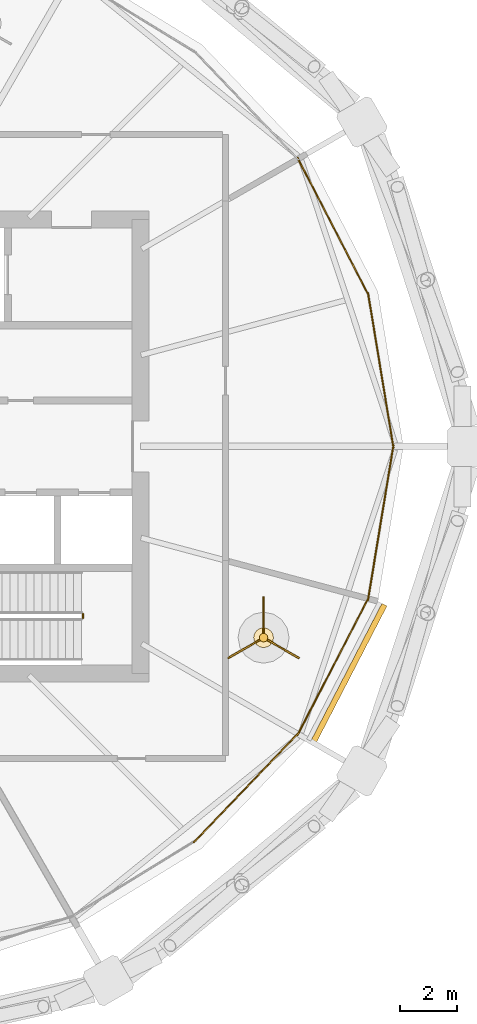
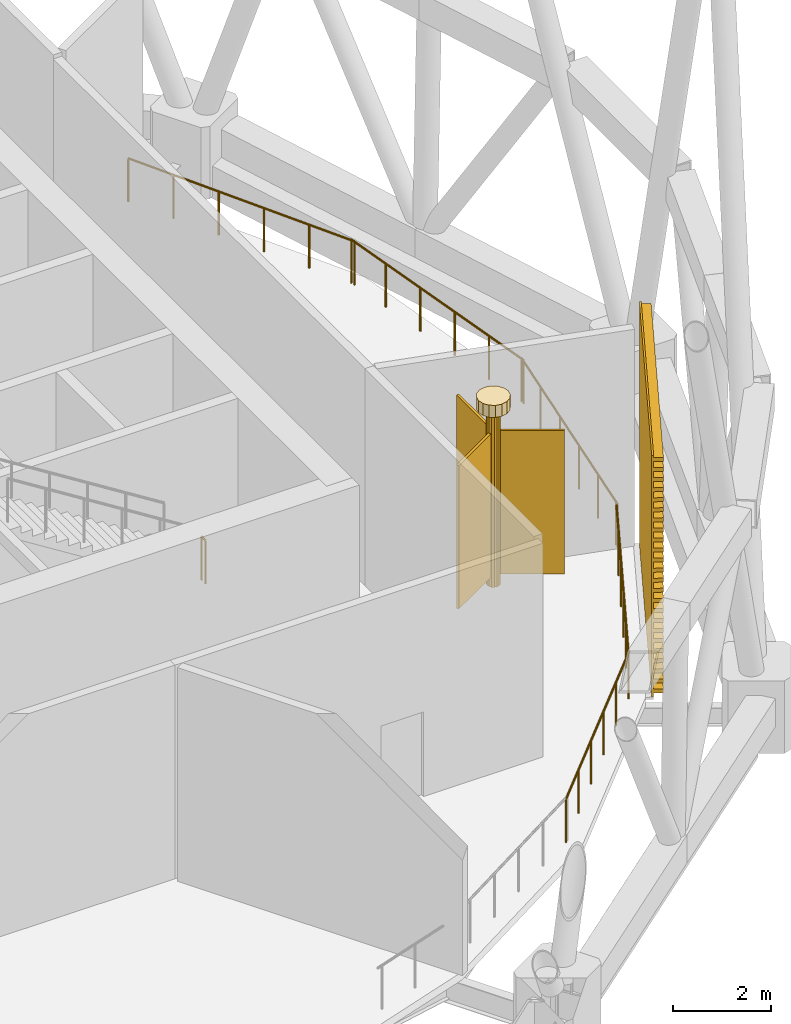
# One storey, part 17 of 22: 6 railings, 5 coverings, 1 shading device.
"""IFC4 building model written with IfcOpenShell, lengths in metres."""

import ifcopenshell
import ifcopenshell.guid

model = None  # the IFC model being written
_history = None  # IfcOwnerHistory: only IFC2X3 demands one
_inside = {}  # id of a spatial element -> (the spatial element, [elements in it])
_under = {}  # id of a project, library or spatial element -> (it, [spatial elements below it])
_declared = {}  # id of a project -> (the project, [libraries it declares])
_typed = {}  # id of a type object -> (the type object, [elements of that type])
_made_of = {}  # id of a material, layer set ... -> (it, [elements and type objects made of it])


def new_model(schema):
    """Start an empty IFC model of exactly this schema.

    Asked for "IFC4X3", IfcOpenShell would pick the latest addendum, in which some entities
    have other attributes; the version numbers below select the first issue.
    IFC2X3 requires an IfcOwnerHistory on every rooted entity: one is made here for all.
    """
    global model, _history
    if schema == "IFC4X3":
        model = ifcopenshell.file(schema_version=(4, 3, 0, 0))
    else:
        model = ifcopenshell.file(schema=schema)
    _inside.clear()
    _under.clear()
    _declared.clear()
    _typed.clear()
    _made_of.clear()
    _history = None
    if model.schema == "IFC2X3":
        org = make("IfcOrganization", Name="unknown")
        user = make(
            "IfcPersonAndOrganization",
            ThePerson=make("IfcPerson", FamilyName="unknown"),
            TheOrganization=org,
        )
        app = make(
            "IfcApplication",
            ApplicationDeveloper=org,
            Version="unknown",
            ApplicationFullName="unknown",
            ApplicationIdentifier="unknown",
        )
        _history = make(
            "IfcOwnerHistory",
            OwningUser=user,
            OwningApplication=app,
            ChangeAction="ADDED",
            CreationDate=0,
        )
    return model


def make(cls, **values):
    """One entity of the class cls with the attributes given. An attribute that is None is left unset."""
    return model.create_entity(
        cls, **{name: value for name, value in values.items() if value is not None}
    )


def rooted(cls, **values):
    """An entity with a GlobalId (a new one), such as an element, a storey or a relation."""
    return make(cls, GlobalId=ifcopenshell.guid.new(), OwnerHistory=_history, **values)


def si_unit(unit_type, name, prefix=None):
    """IfcSIUnit, for example si_unit("LENGTHUNIT", "METRE", prefix="MILLI")."""
    return make("IfcSIUnit", UnitType=unit_type, Prefix=prefix, Name=name)


def assignment(units):
    """IfcUnitAssignment: the units of a project."""
    return None if units is None else make("IfcUnitAssignment", Units=units)


def point(xyz):
    """IfcCartesianPoint."""
    return None if xyz is None else make("IfcCartesianPoint", Coordinates=xyz)


def direction(xyz):
    """IfcDirection."""
    return None if xyz is None else make("IfcDirection", DirectionRatios=xyz)


def frame(location, z_axis=None, x_axis=None):
    """IfcAxis2Placement3D, a coordinate frame: its origin and axes. An axis left out is left unset."""
    return make(
        "IfcAxis2Placement3D",
        Location=point(location),
        Axis=direction(z_axis),
        RefDirection=direction(x_axis),
    )


def frame_2d(location, x_axis=None):
    """IfcAxis2Placement2D, a coordinate frame in the plane: its origin and x axis."""
    return make(
        "IfcAxis2Placement2D", Location=point(location), RefDirection=direction(x_axis)
    )


def origin():
    """The frame at (0, 0, 0) with its axes left unset."""
    return frame((0.0, 0.0, 0.0))


def origin_2d():
    """The frame at (0, 0) in the plane with its x axis left unset."""
    return frame_2d((0.0, 0.0))


def place(relative_to, where):
    """IfcLocalPlacement: puts the frame where relative to a parent placement (None: the world)."""
    return make(
        "IfcLocalPlacement", PlacementRelTo=relative_to, RelativePlacement=where
    )


def context(
    kind, dimensions, precision=None, world=None, true_north=None, identifier=None
):
    """IfcGeometricRepresentationContext, for example the 3D "Model" context."""
    return make(
        "IfcGeometricRepresentationContext",
        ContextIdentifier=identifier,
        ContextType=kind,
        CoordinateSpaceDimension=dimensions,
        Precision=precision,
        WorldCoordinateSystem=world,
        TrueNorth=true_north,
    )


def subcontext(parent, identifier, kind, view, scale=None):
    """IfcGeometricRepresentationSubContext, for example "Body" below "Model"."""
    return make(
        "IfcGeometricRepresentationSubContext",
        ContextIdentifier=identifier,
        ContextType=kind,
        ParentContext=parent,
        TargetScale=scale,
        TargetView=view,
    )


def project(units=None, contexts=None):
    """IfcProject with its units and contexts."""
    return rooted(
        "IfcProject",
        Name="project",
        RepresentationContexts=contexts,
        UnitsInContext=assignment(units),
    )


def spatial(cls, under=None, at=None, **own):
    """A site, building, storey or space (cls), placed at a placement, below another one or the project."""
    s = rooted(cls, ObjectPlacement=at, **own)
    if under is not None:
        _under.setdefault(under.id(), (under, []))[1].append(s)
    return s


def polyline(points):
    """IfcPolyline through the points."""
    return make("IfcPolyline", Points=[point(p) for p in points])


def profile(cls, at=None, kind="AREA", **sizes):
    """A parametric profile (cls). Its sizes go by their IFC names, for example OverallWidth=200.0."""
    return make(cls, ProfileType=kind, Position=at, **sizes)


def circle(**sizes):
    """IfcCircleProfileDef."""
    return profile("IfcCircleProfileDef", **sizes)


def outline(outer, holes=None, kind="AREA"):
    """IfcArbitraryClosedProfileDef: a profile drawn as a closed curve; with holes, ...WithVoids."""
    if holes is None:
        return make("IfcArbitraryClosedProfileDef", ProfileType=kind, OuterCurve=outer)
    return make(
        "IfcArbitraryProfileDefWithVoids",
        ProfileType=kind,
        OuterCurve=outer,
        InnerCurves=holes,
    )


def extrude(swept, where, along, depth):
    """IfcExtrudedAreaSolid: the profile swept, set in the frame where, extruded along a direction by depth."""
    return make(
        "IfcExtrudedAreaSolid",
        SweptArea=swept,
        Position=where,
        ExtrudedDirection=direction(along),
        Depth=depth,
    )


def shape(context_of_items, identifier, shape_type, items):
    """IfcShapeRepresentation: the items that make up one representation, for example the "Body"."""
    return make(
        "IfcShapeRepresentation",
        ContextOfItems=context_of_items,
        RepresentationIdentifier=identifier,
        RepresentationType=shape_type,
        Items=items,
    )


def material(Name=None, Category=None):
    """IfcMaterial."""
    return make("IfcMaterial", Name=Name, Category=Category)


def material_profile(
    of_material, cross_section, Name=None, Category=None, Priority=None
):
    """IfcMaterialProfile: a cross section and its material."""
    return make(
        "IfcMaterialProfile",
        Name=Name,
        Material=of_material,
        Profile=cross_section,
        Priority=Priority,
        Category=Category,
    )


def profile_set(profiles, Name=None, composite=None):
    """IfcMaterialProfileSet."""
    return make(
        "IfcMaterialProfileSet",
        Name=Name,
        MaterialProfiles=profiles,
        CompositeProfile=composite,
    )


def made_of(thing, what):
    """Note that an element or type object is made of a material, layer set ...; save() writes the relation."""
    if what is not None:
        _made_of.setdefault(what.id(), (what, []))[1].append(thing)
    return thing


def type_object(cls, material=None, **own):
    """A type object (cls), such as IfcWallType, which elements share."""
    return made_of(rooted(cls, **own), material)


def element(
    cls,
    number,
    at=None,
    inside=None,
    cuts=None,
    type_object=None,
    material=None,
    context=None,
    identifier="Body",
    shape_type=None,
    held_by="IfcProductDefinitionShape",
    body=None,
    shapes=None,
    **own,
):
    """One element of the class cls, such as IfcWall. Its Tag is "e" and its number.

    at: its placement. inside: the storey or other place that contains it. cuts: it is an
    opening in that element (IfcRelVoidsElement). A single representation is given by context,
    identifier, shape_type and body (its items); several are given by shapes. held_by: the class
    of the entity that holds the representations. save() writes the other relations.
    """
    e = rooted(cls, Tag="e%d" % number, ObjectPlacement=at, **own)
    if body is not None:
        shapes = [shape(context, identifier, shape_type, body)]
    if shapes is not None:
        e.Representation = make(held_by, Representations=shapes)
    if inside is not None:
        _inside.setdefault(inside.id(), (inside, []))[1].append(e)
    if cuts is not None:
        rooted(
            "IfcRelVoidsElement", RelatingBuildingElement=cuts, RelatedOpeningElement=e
        )
    if type_object is not None:
        _typed.setdefault(type_object.id(), (type_object, []))[1].append(e)
    return made_of(e, material)


def aggregate(whole, parts):
    """IfcRelAggregates: a whole, such as a stair, and the parts it consists of."""
    return rooted("IfcRelAggregates", RelatingObject=whole, RelatedObjects=parts)


def save(model, path):
    """Write the relations noted so far, then the file.

    IfcRelAggregates (storeys below a building ...), IfcRelContainedInSpatialStructure (elements
    in a storey), IfcRelDefinesByType, IfcRelAssociatesMaterial and IfcRelDeclares: one each for
    every whole, place, type object, material and project.
    """
    for whole, parts in _under.values():
        aggregate(whole, parts)
    for where, things in _inside.values():
        rooted(
            "IfcRelContainedInSpatialStructure",
            RelatedElements=things,
            RelatingStructure=where,
        )
    for kind, things in _typed.values():
        rooted("IfcRelDefinesByType", RelatedObjects=things, RelatingType=kind)
    for what, things in _made_of.values():
        rooted("IfcRelAssociatesMaterial", RelatedObjects=things, RelatingMaterial=what)
    for by, libraries in _declared.values():
        rooted("IfcRelDeclares", RelatingContext=by, RelatedDefinitions=libraries)
    model.write(path)


model = new_model("IFC4")

# Units and contexts
model_context = context("Model", 3, precision=1e-05, world=origin(), true_north=direction((0.0, 1.0)))
body_context = subcontext(model_context, "Body", "Model", "MODEL_VIEW")
ifc_project = project(units=[si_unit("LENGTHUNIT", "METRE"), si_unit("AREAUNIT", "SQUARE_METRE"), si_unit("VOLUMEUNIT", "CUBIC_METRE"), si_unit("PLANEANGLEUNIT", "RADIAN"), si_unit("MASSUNIT", "GRAM", prefix="KILO")], contexts=[model_context])

# Site, building, storey
site_placement = place(None, origin())
site = spatial("IfcSite", under=ifc_project, at=site_placement, CompositionType="ELEMENT")
building_placement = place(site_placement, origin())
building = spatial("IfcBuilding", under=site, at=building_placement, Name="Rimbun Link Towers", CompositionType="ELEMENT")
storey_placement = place(building_placement, frame((0.0, 0.0, 204.5)))
storey = spatial("IfcBuildingStorey", under=building, at=storey_placement, Name="L50", CompositionType="ELEMENT", Elevation=204.5)

# Railings
ifc_material_1 = material(Name="Stainless steel grade 316", Category="steel")
railing_type_1 = type_object("IfcRailingType", Name="GUARD stainless rail and posts", PredefinedType="GUARDRAIL", material=ifc_material_1)
railing_1_placement = place(storey_placement, frame((-11.722900390625, 5.413818359375, 0.0)))
element("IfcRailing", 1, at=railing_1_placement, inside=storey, type_object=railing_type_1, Name="GUARD open storey edge", PredefinedType="GUARDRAIL", context=body_context, shape_type="SweptSolid", body=[
    extrude(circle(Radius=0.02392578125, at=origin_2d()), frame((0.0, 0.0, 1.076171875), z_axis=(0.162258984538, -0.986748205945, 0.0), x_axis=(0.986748205945, 0.162258984538, 0.0)), (0.0, 0.0, 1.0), 5.532470703125),
    extrude(circle(Radius=0.02099609375, at=origin_2d()), origin(), (0.0, 0.0, 1.0), 1.052001953125),
    extrude(circle(Radius=0.02099609375, at=origin_2d()), frame((0.179443359375, -1.091796875, 0.0)), (0.0, 0.0, 1.0), 1.052001953125),
    extrude(circle(Radius=0.02099609375, at=origin_2d()), frame((0.359130859375, -2.18359375, 0.0)), (0.0, 0.0, 1.0), 1.052001953125),
    extrude(circle(Radius=0.02099609375, at=origin_2d()), frame((0.53857421875, -3.275634765625, 0.0)), (0.0, 0.0, 1.0), 1.052001953125),
    extrude(circle(Radius=0.02099609375, at=origin_2d()), frame((0.71826171875, -4.367431640625, 0.0)), (0.0, 0.0, 1.0), 1.052001953125),
    extrude(circle(Radius=0.02099609375, at=origin_2d()), frame((0.897705078125, -5.459228515625, 0.0)), (0.0, 0.0, 1.0), 1.052001953125),
])
railing_2_placement = place(storey_placement, frame((-14.2109375, 10.179443359375, 0.0)))
element("IfcRailing", 2, at=railing_2_placement, inside=storey, type_object=railing_type_1, Name="GUARD open storey edge", PredefinedType="GUARDRAIL", context=body_context, shape_type="SweptSolid", body=[
    extrude(circle(Radius=0.02392578125, at=origin_2d()), frame((0.0, 0.0, 1.076171875), z_axis=(0.459554167849, -0.888149743463, 0.0), x_axis=(0.888149743463, 0.459554167849, 0.0)), (0.0, 0.0, 1.0), 5.465087890625),
    extrude(circle(Radius=0.02099609375, at=origin_2d()), origin(), (0.0, 0.0, 1.0), 1.052001953125),
    extrude(circle(Radius=0.02099609375, at=origin_2d()), frame((0.502197265625, -0.970703125, 0.0)), (0.0, 0.0, 1.0), 1.052001953125),
    extrude(circle(Radius=0.02099609375, at=origin_2d()), frame((1.004638671875, -1.94140625, 0.0)), (0.0, 0.0, 1.0), 1.052001953125),
    extrude(circle(Radius=0.02099609375, at=origin_2d()), frame((1.5068359375, -2.912353515625, 0.0)), (0.0, 0.0, 1.0), 1.052001953125),
    extrude(circle(Radius=0.02099609375, at=origin_2d()), frame((2.00927734375, -3.883056640625, 0.0)), (0.0, 0.0, 1.0), 1.052001953125),
    extrude(circle(Radius=0.02099609375, at=origin_2d()), frame((2.511474609375, -4.853759765625, 0.0)), (0.0, 0.0, 1.0), 1.052001953125),
])
railing_3_placement = place(storey_placement, frame((-14.165283203125, -10.1005859375, 0.0)))
element("IfcRailing", 3, at=railing_3_placement, inside=storey, type_object=railing_type_1, Name="GUARD open storey edge", PredefinedType="GUARDRAIL", context=body_context, shape_type="SweptSolid", body=[
    extrude(circle(Radius=0.02392578125, at=origin_2d()), frame((0.0, 0.0, 1.076171875), z_axis=(-0.692067218589, -0.721833058923, 0.0), x_axis=(0.721833058923, -0.692067218589, 0.0)), (0.0, 0.0, 1.0), 5.339599609375),
    extrude(circle(Radius=0.02099609375, at=origin_2d()), origin(), (0.0, 0.0, 1.0), 1.052001953125),
    extrude(circle(Radius=0.02099609375, at=origin_2d()), frame((-0.739013671875, -0.770751953125, 0.0)), (0.0, 0.0, 1.0), 1.052001953125),
    extrude(circle(Radius=0.02099609375, at=origin_2d()), frame((-1.47802734375, -1.541748046875, 0.0)), (0.0, 0.0, 1.0), 1.052001953125),
    extrude(circle(Radius=0.02099609375, at=origin_2d()), frame((-2.21728515625, -2.3125, 0.0)), (0.0, 0.0, 1.0), 1.052001953125),
    extrude(circle(Radius=0.02099609375, at=origin_2d()), frame((-2.956298828125, -3.08349609375, 0.0)), (0.0, 0.0, 1.0), 1.052001953125),
    extrude(circle(Radius=0.02099609375, at=origin_2d()), frame((-3.6953125, -3.854248046875, 0.0)), (0.0, 0.0, 1.0), 1.052001953125),
])
railing_4_placement = place(storey_placement, frame((-10.8251953125, 0.04541015625, 0.0)))
element("IfcRailing", 4, at=railing_4_placement, inside=storey, type_object=railing_type_1, Name="GUARD open storey edge", PredefinedType="GUARDRAIL", context=body_context, shape_type="SweptSolid", body=[
    extrude(circle(Radius=0.02392578125, at=origin_2d()), frame((0.0, 0.0, 1.076171875), z_axis=(-0.162258984538, -0.986748205945, 0.0), x_axis=(0.986748205945, -0.162258984538, 0.0)), (0.0, 0.0, 1.0), 5.532470703125),
    extrude(circle(Radius=0.02099609375, at=origin_2d()), origin(), (0.0, 0.0, 1.0), 1.052001953125),
    extrude(circle(Radius=0.02099609375, at=origin_2d()), frame((-0.179443359375, -1.091796875, 0.0)), (0.0, 0.0, 1.0), 1.052001953125),
    extrude(circle(Radius=0.02099609375, at=origin_2d()), frame((-0.359130859375, -2.18359375, 0.0)), (0.0, 0.0, 1.0), 1.052001953125),
    extrude(circle(Radius=0.02099609375, at=origin_2d()), frame((-0.53857421875, -3.275634765625, 0.0)), (0.0, 0.0, 1.0), 1.052001953125),
    extrude(circle(Radius=0.02099609375, at=origin_2d()), frame((-0.71826171875, -4.367431640625, 0.0)), (0.0, 0.0, 1.0), 1.052001953125),
    extrude(circle(Radius=0.02099609375, at=origin_2d()), frame((-0.897705078125, -5.459228515625, 0.0)), (0.0, 0.0, 1.0), 1.052001953125),
])
railing_5_placement = place(storey_placement, frame((-11.699462890625, -5.32568359375, 0.0)))
element("IfcRailing", 5, at=railing_5_placement, inside=storey, type_object=railing_type_1, Name="GUARD slot edge", PredefinedType="GUARDRAIL", context=body_context, shape_type="SweptSolid", body=[
    extrude(circle(Radius=0.02392578125, at=origin_2d()), frame((0.0, 0.0, 1.076171875), z_axis=(-0.459554167849, -0.888149743463, 0.0), x_axis=(0.888149743463, -0.459554167849, 0.0)), (0.0, 0.0, 1.0), 5.465087890625),
    extrude(circle(Radius=0.02099609375, at=origin_2d()), origin(), (0.0, 0.0, 1.0), 1.052001953125),
    extrude(circle(Radius=0.02099609375, at=origin_2d()), frame((-0.502197265625, -0.970703125, 0.0)), (0.0, 0.0, 1.0), 1.052001953125),
    extrude(circle(Radius=0.02099609375, at=origin_2d()), frame((-1.004638671875, -1.94140625, 0.0)), (0.0, 0.0, 1.0), 1.052001953125),
    extrude(circle(Radius=0.02099609375, at=origin_2d()), frame((-1.5068359375, -2.912353515625, 0.0)), (0.0, 0.0, 1.0), 1.052001953125),
    extrude(circle(Radius=0.02099609375, at=origin_2d()), frame((-2.00927734375, -3.883056640625, 0.0)), (0.0, 0.0, 1.0), 1.052001953125),
    extrude(circle(Radius=0.02099609375, at=origin_2d()), frame((-2.511474609375, -4.853759765625, 0.0)), (0.0, 0.0, 1.0), 1.052001953125),
])

# Shading device
ifc_material_2 = material(Name="Aluminium 6063-T6", Category="aluminium")
ifc_material_profile = material_profile(ifc_material_2, outline(polyline([(0.123046875, 0.0), (0.1630859375, 0.0), (0.1630859375, 0.10009765625), (0.363037109375, 0.10009765625), (0.363037109375, 0.199951171875), (0.1630859375, 0.199951171875), (0.1630859375, 0.35009765625), (0.363037109375, 0.35009765625), (0.363037109375, 0.449951171875), (0.1630859375, 0.449951171875), (0.1630859375, 0.60009765625), (0.363037109375, 0.60009765625), (0.363037109375, 0.699951171875), (0.1630859375, 0.699951171875), (0.1630859375, 0.85009765625), (0.363037109375, 0.85009765625), (0.363037109375, 0.949951171875), (0.1630859375, 0.949951171875), (0.1630859375, 1.10009765625), (0.363037109375, 1.10009765625), (0.363037109375, 1.199951171875), (0.1630859375, 1.199951171875), (0.1630859375, 1.35009765625), (0.363037109375, 1.35009765625), (0.363037109375, 1.449951171875), (0.1630859375, 1.449951171875), (0.1630859375, 1.60009765625), (0.363037109375, 1.60009765625), (0.363037109375, 1.699951171875), (0.1630859375, 1.699951171875), (0.1630859375, 1.85009765625), (0.363037109375, 1.85009765625), (0.363037109375, 1.949951171875), (0.1630859375, 1.949951171875), (0.1630859375, 2.10009765625), (0.363037109375, 2.10009765625), (0.363037109375, 2.199951171875), (0.1630859375, 2.199951171875), (0.1630859375, 2.35009765625), (0.363037109375, 2.35009765625), (0.363037109375, 2.449951171875), (0.1630859375, 2.449951171875), (0.1630859375, 2.60009765625), (0.363037109375, 2.60009765625), (0.363037109375, 2.699951171875), (0.1630859375, 2.699951171875), (0.1630859375, 2.85009765625), (0.363037109375, 2.85009765625), (0.363037109375, 2.949951171875), (0.1630859375, 2.949951171875), (0.1630859375, 3.10009765625), (0.363037109375, 3.10009765625), (0.363037109375, 3.199951171875), (0.1630859375, 3.199951171875), (0.1630859375, 3.35009765625), (0.363037109375, 3.35009765625), (0.363037109375, 3.449951171875), (0.1630859375, 3.449951171875), (0.1630859375, 3.60009765625), (0.363037109375, 3.60009765625), (0.363037109375, 3.699951171875), (0.1630859375, 3.699951171875), (0.1630859375, 3.85009765625), (0.363037109375, 3.85009765625), (0.363037109375, 3.949951171875), (0.1630859375, 3.949951171875), (0.1630859375, 4.10009765625), (0.363037109375, 4.10009765625), (0.363037109375, 4.199951171875), (0.1630859375, 4.199951171875), (0.1630859375, 4.35009765625), (0.363037109375, 4.35009765625), (0.363037109375, 4.449951171875), (0.1630859375, 4.449951171875), (0.1630859375, 4.60009765625), (0.363037109375, 4.60009765625), (0.363037109375, 4.699951171875), (0.1630859375, 4.699951171875), (0.1630859375, 4.85009765625), (0.363037109375, 4.85009765625), (0.363037109375, 4.949951171875), (0.1630859375, 4.949951171875), (0.1630859375, 5.10009765625), (0.363037109375, 5.10009765625), (0.363037109375, 5.199951171875), (0.1630859375, 5.199951171875), (0.1630859375, 5.35009765625), (0.363037109375, 5.35009765625), (0.363037109375, 5.449951171875), (0.1630859375, 5.449951171875), (0.1630859375, 5.60009765625), (0.363037109375, 5.60009765625), (0.363037109375, 5.699951171875), (0.1630859375, 5.699951171875), (0.1630859375, 5.85009765625), (0.363037109375, 5.85009765625), (0.363037109375, 5.949951171875), (0.1630859375, 5.949951171875), (0.1630859375, 6.0), (0.123046875, 6.0), (0.123046875, 0.0)])), Name="LOUVRE BLADES 100X240")
ifc_profile_set = profile_set([ifc_material_profile], Name="Aluminium 6063-T6")
shading_device_type = type_object("IfcShadingDeviceType", Name="LOUVRE SLOT BLADES 100X240 H6000", PredefinedType="JALOUSIE", material=ifc_profile_set)
shading_device_placement = place(storey_placement, frame((-11.3759765625, -5.459228515625, 0.0), z_axis=(-0.459518928025, -0.888167976673, 0.0), x_axis=(0.888167976673, -0.459518928025, 0.0)))
element("IfcShadingDevice", 6, at=shading_device_placement, inside=storey, type_object=shading_device_type, Name="LOUVRE slot blades", PredefinedType="JALOUSIE", context=body_context, shape_type="SweptSolid", body=[
    extrude(outline(polyline([(0.123046875, 0.0), (0.1630859375, 0.0), (0.1630859375, 0.10009765625), (0.363037109375, 0.10009765625), (0.363037109375, 0.199951171875), (0.1630859375, 0.199951171875), (0.1630859375, 0.35009765625), (0.363037109375, 0.35009765625), (0.363037109375, 0.449951171875), (0.1630859375, 0.449951171875), (0.1630859375, 0.60009765625), (0.363037109375, 0.60009765625), (0.363037109375, 0.699951171875), (0.1630859375, 0.699951171875), (0.1630859375, 0.85009765625), (0.363037109375, 0.85009765625), (0.363037109375, 0.949951171875), (0.1630859375, 0.949951171875), (0.1630859375, 1.10009765625), (0.363037109375, 1.10009765625), (0.363037109375, 1.199951171875), (0.1630859375, 1.199951171875), (0.1630859375, 1.35009765625), (0.363037109375, 1.35009765625), (0.363037109375, 1.449951171875), (0.1630859375, 1.449951171875), (0.1630859375, 1.60009765625), (0.363037109375, 1.60009765625), (0.363037109375, 1.699951171875), (0.1630859375, 1.699951171875), (0.1630859375, 1.85009765625), (0.363037109375, 1.85009765625), (0.363037109375, 1.949951171875), (0.1630859375, 1.949951171875), (0.1630859375, 2.10009765625), (0.363037109375, 2.10009765625), (0.363037109375, 2.199951171875), (0.1630859375, 2.199951171875), (0.1630859375, 2.35009765625), (0.363037109375, 2.35009765625), (0.363037109375, 2.449951171875), (0.1630859375, 2.449951171875), (0.1630859375, 2.60009765625), (0.363037109375, 2.60009765625), (0.363037109375, 2.699951171875), (0.1630859375, 2.699951171875), (0.1630859375, 2.85009765625), (0.363037109375, 2.85009765625), (0.363037109375, 2.949951171875), (0.1630859375, 2.949951171875), (0.1630859375, 3.10009765625), (0.363037109375, 3.10009765625), (0.363037109375, 3.199951171875), (0.1630859375, 3.199951171875), (0.1630859375, 3.35009765625), (0.363037109375, 3.35009765625), (0.363037109375, 3.449951171875), (0.1630859375, 3.449951171875), (0.1630859375, 3.60009765625), (0.363037109375, 3.60009765625), (0.363037109375, 3.699951171875), (0.1630859375, 3.699951171875), (0.1630859375, 3.85009765625), (0.363037109375, 3.85009765625), (0.363037109375, 3.949951171875), (0.1630859375, 3.949951171875), (0.1630859375, 4.10009765625), (0.363037109375, 4.10009765625), (0.363037109375, 4.199951171875), (0.1630859375, 4.199951171875), (0.1630859375, 4.35009765625), (0.363037109375, 4.35009765625), (0.363037109375, 4.449951171875), (0.1630859375, 4.449951171875), (0.1630859375, 4.60009765625), (0.363037109375, 4.60009765625), (0.363037109375, 4.699951171875), (0.1630859375, 4.699951171875), (0.1630859375, 4.85009765625), (0.363037109375, 4.85009765625), (0.363037109375, 4.949951171875), (0.1630859375, 4.949951171875), (0.1630859375, 5.10009765625), (0.363037109375, 5.10009765625), (0.363037109375, 5.199951171875), (0.1630859375, 5.199951171875), (0.1630859375, 5.35009765625), (0.363037109375, 5.35009765625), (0.363037109375, 5.449951171875), (0.1630859375, 5.449951171875), (0.1630859375, 5.60009765625), (0.363037109375, 5.60009765625), (0.363037109375, 5.699951171875), (0.1630859375, 5.699951171875), (0.1630859375, 5.85009765625), (0.363037109375, 5.85009765625), (0.363037109375, 5.949951171875), (0.1630859375, 5.949951171875), (0.1630859375, 6.0), (0.123046875, 6.0), (0.123046875, 0.0)])), origin(), (0.0, 0.0, 1.0), 5.46484375),
])

# Railing
ifc_material_3 = material(Name="Stainless steel grade 316", Category="steel")
railing_type_2 = type_object("IfcRailingType", Name="Stair guard", PredefinedType="GUARDRAIL", material=ifc_material_3)
railing_6_placement = place(storey_placement, frame((-21.77001953125, -6.050048828125, 3.0)))
element("IfcRailing", 7, at=railing_6_placement, inside=storey, type_object=railing_type_2, Name="L50 ST2 stair guard 2", PredefinedType="GUARDRAIL", context=body_context, shape_type="SweptSolid", body=[
    extrude(circle(Radius=0.02392578125, at=origin_2d()), frame((0.0, 0.0, 1.076171875), z_axis=(0.0, 1.0, 0.0), x_axis=(-1.0, 0.0, 0.0)), (0.0, 0.0, 1.0), 0.150146484375),
    extrude(circle(Radius=0.02099609375, at=origin_2d()), origin(), (0.0, 0.0, 1.0), 1.052001953125),
    extrude(circle(Radius=0.02099609375, at=origin_2d()), frame((0.0, 0.150146484375, 0.0)), (0.0, 0.0, 1.0), 1.052001953125),
])

# Coverings
ifc_material_4 = material(Name="Stainless steel grade 316", Category="steel")
covering_type_1 = type_object("IfcCoveringType", Name="WIND TURBINE bearing collar 700X300", PredefinedType="CLADDING", material=ifc_material_4)
covering_1_placement = place(storey_placement, frame((0.0, 0.0, 5.56005859375)))
element("IfcCovering", 8, at=covering_1_placement, inside=storey, type_object=covering_type_1, Name="WIND TURBINE bearing collar", PredefinedType="CLADDING", context=body_context, shape_type="SweptSolid", body=[
    extrude(outline(polyline([(-15.054931640625, -6.7421875), (-15.08154296875, -6.608154296875), (-15.157470703125, -6.49462890625), (-15.27099609375, -6.418701171875), (-15.40478515625, -6.39208984375), (-15.538818359375, -6.418701171875), (-15.65234375, -6.49462890625), (-15.728271484375, -6.608154296875), (-15.7548828125, -6.7421875), (-15.728271484375, -6.876220703125), (-15.65234375, -6.989501953125), (-15.538818359375, -7.0654296875), (-15.40478515625, -7.092041015625), (-15.27099609375, -7.0654296875), (-15.157470703125, -6.989501953125), (-15.08154296875, -6.876220703125), (-15.054931640625, -6.7421875)])), origin(), (0.0, 0.0, 1.0), 0.300048828125),
])
ifc_material_5 = material(Name="Aluminium 6063-T6", Category="aluminium")
covering_type_2 = type_object("IfcCoveringType", Name="WIND TURBINE blade 1302X60X3560", PredefinedType="CLADDING", material=ifc_material_5)
covering_2_placement = place(storey_placement, frame((0.0, 0.0, 1.449951171875)))
element("IfcCovering", 9, at=covering_2_placement, inside=storey, type_object=covering_type_2, Name="WIND TURBINE blade", PredefinedType="CLADDING", context=body_context, shape_type="SweptSolid", body=[
    extrude(outline(polyline([(-15.375, -6.59423828125), (-15.375, -5.292236328125), (-15.434814453125, -5.292236328125), (-15.434814453125, -6.59423828125), (-15.375, -6.59423828125)])), origin(), (0.0, 0.0, 1.0), 3.56005859375),
])
covering_3_placement = place(storey_placement, frame((0.0, 0.0, 1.449951171875)))
element("IfcCovering", 10, at=covering_3_placement, inside=storey, type_object=covering_type_2, Name="WIND TURBINE blade", PredefinedType="CLADDING", context=body_context, shape_type="SweptSolid", body=[
    extrude(outline(polyline([(-15.548095703125, -6.7900390625), (-16.67578125, -7.441162109375), (-16.645751953125, -7.4931640625), (-15.51806640625, -6.842041015625), (-15.548095703125, -6.7900390625)])), origin(), (0.0, 0.0, 1.0), 3.56005859375),
])
covering_4_placement = place(storey_placement, frame((0.0, 0.0, 1.449951171875)))
element("IfcCovering", 11, at=covering_4_placement, inside=storey, type_object=covering_type_2, Name="WIND TURBINE blade", PredefinedType="CLADDING", context=body_context, shape_type="SweptSolid", body=[
    extrude(outline(polyline([(-15.291748046875, -6.842041015625), (-14.164306640625, -7.4931640625), (-14.13427734375, -7.441162109375), (-15.26171875, -6.7900390625), (-15.291748046875, -6.842041015625)])), origin(), (0.0, 0.0, 1.0), 3.56005859375),
])
ifc_material_6 = material(Name="Stainless steel grade 316", Category="steel")
covering_type_3 = type_object("IfcCoveringType", Name="WIND TURBINE shaft 300X4360", PredefinedType="CLADDING", material=ifc_material_6)
covering_5_placement = place(storey_placement, frame((0.0, 0.0, 1.199951171875)))
element("IfcCovering", 12, at=covering_5_placement, inside=storey, type_object=covering_type_3, Name="WIND TURBINE shaft", PredefinedType="CLADDING", context=body_context, shape_type="SweptSolid", body=[
    extrude(outline(polyline([(-15.2548828125, -6.7421875), (-15.266357421875, -6.684814453125), (-15.298828125, -6.635986328125), (-15.347412109375, -6.603515625), (-15.40478515625, -6.592041015625), (-15.46240234375, -6.603515625), (-15.510986328125, -6.635986328125), (-15.54345703125, -6.684814453125), (-15.554931640625, -6.7421875), (-15.54345703125, -6.799560546875), (-15.510986328125, -6.84814453125), (-15.46240234375, -6.880615234375), (-15.40478515625, -6.89208984375), (-15.347412109375, -6.880615234375), (-15.298828125, -6.84814453125), (-15.266357421875, -6.799560546875), (-15.2548828125, -6.7421875)])), origin(), (0.0, 0.0, 1.0), 4.360107421875),
])

save(model, "model.ifc")
